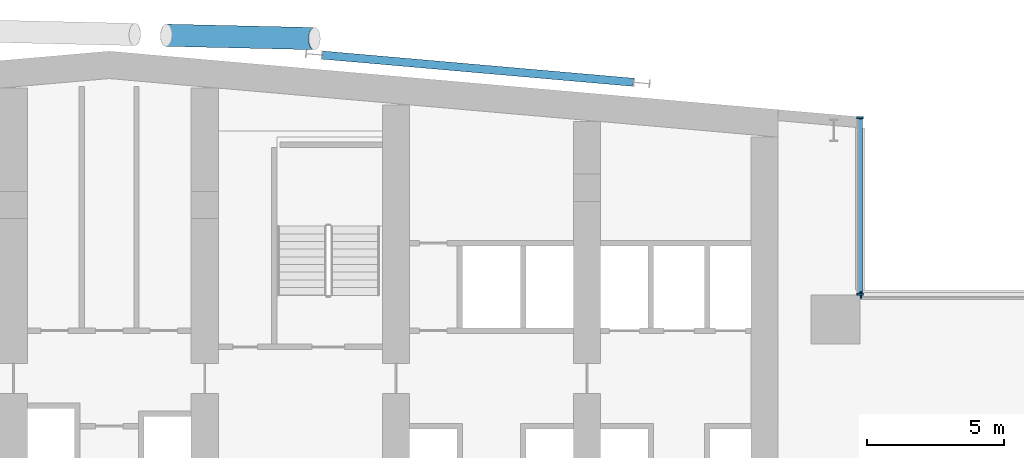
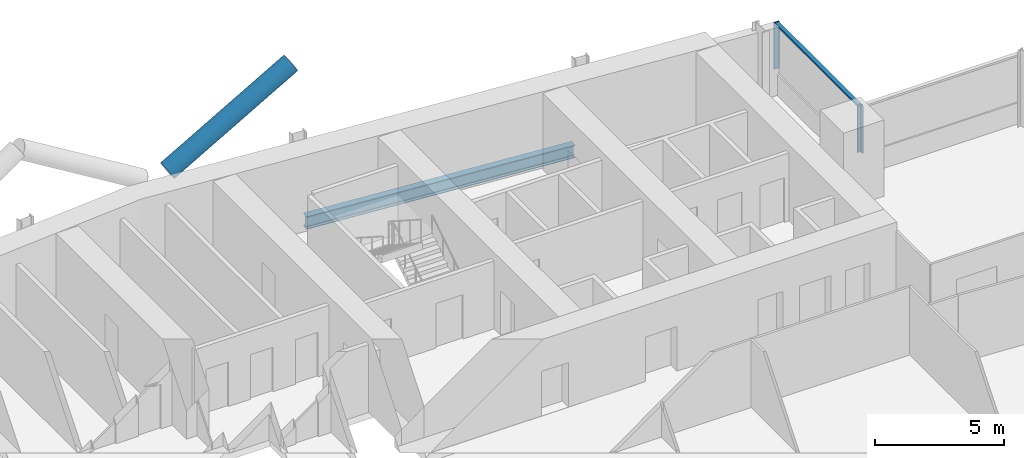
# One storey, part 9 of 27: 5 members, 1 beam, 2 elements without a shape of their own.
"""IFC4 building model written with IfcOpenShell, lengths in metres."""

import ifcopenshell
import ifcopenshell.guid

model = None  # the IFC model being written
_history = None  # IfcOwnerHistory: only IFC2X3 demands one
_inside = {}  # id of a spatial element -> (the spatial element, [elements in it])
_under = {}  # id of a project, library or spatial element -> (it, [spatial elements below it])
_declared = {}  # id of a project -> (the project, [libraries it declares])
_typed = {}  # id of a type object -> (the type object, [elements of that type])
_made_of = {}  # id of a material, layer set ... -> (it, [elements and type objects made of it])


def new_model(schema):
    """Start an empty IFC model of exactly this schema.

    Asked for "IFC4X3", IfcOpenShell would pick the latest addendum, in which some entities
    have other attributes; the version numbers below select the first issue.
    IFC2X3 requires an IfcOwnerHistory on every rooted entity: one is made here for all.
    """
    global model, _history
    if schema == "IFC4X3":
        model = ifcopenshell.file(schema_version=(4, 3, 0, 0))
    else:
        model = ifcopenshell.file(schema=schema)
    _inside.clear()
    _under.clear()
    _declared.clear()
    _typed.clear()
    _made_of.clear()
    _history = None
    if model.schema == "IFC2X3":
        org = make("IfcOrganization", Name="unknown")
        user = make(
            "IfcPersonAndOrganization",
            ThePerson=make("IfcPerson", FamilyName="unknown"),
            TheOrganization=org,
        )
        app = make(
            "IfcApplication",
            ApplicationDeveloper=org,
            Version="unknown",
            ApplicationFullName="unknown",
            ApplicationIdentifier="unknown",
        )
        _history = make(
            "IfcOwnerHistory",
            OwningUser=user,
            OwningApplication=app,
            ChangeAction="ADDED",
            CreationDate=0,
        )
    return model


def make(cls, **values):
    """One entity of the class cls with the attributes given. An attribute that is None is left unset."""
    return model.create_entity(
        cls, **{name: value for name, value in values.items() if value is not None}
    )


def rooted(cls, **values):
    """An entity with a GlobalId (a new one), such as an element, a storey or a relation."""
    return make(cls, GlobalId=ifcopenshell.guid.new(), OwnerHistory=_history, **values)


def si_unit(unit_type, name, prefix=None):
    """IfcSIUnit, for example si_unit("LENGTHUNIT", "METRE", prefix="MILLI")."""
    return make("IfcSIUnit", UnitType=unit_type, Prefix=prefix, Name=name)


def assignment(units):
    """IfcUnitAssignment: the units of a project."""
    return None if units is None else make("IfcUnitAssignment", Units=units)


def point(xyz):
    """IfcCartesianPoint."""
    return None if xyz is None else make("IfcCartesianPoint", Coordinates=xyz)


def direction(xyz):
    """IfcDirection."""
    return None if xyz is None else make("IfcDirection", DirectionRatios=xyz)


def frame(location, z_axis=None, x_axis=None):
    """IfcAxis2Placement3D, a coordinate frame: its origin and axes. An axis left out is left unset."""
    return make(
        "IfcAxis2Placement3D",
        Location=point(location),
        Axis=direction(z_axis),
        RefDirection=direction(x_axis),
    )


def frame_2d(location, x_axis=None):
    """IfcAxis2Placement2D, a coordinate frame in the plane: its origin and x axis."""
    return make(
        "IfcAxis2Placement2D", Location=point(location), RefDirection=direction(x_axis)
    )


def origin():
    """The frame at (0, 0, 0) with its axes left unset."""
    return frame((0.0, 0.0, 0.0))


def origin_2d():
    """The frame at (0, 0) in the plane with its x axis left unset."""
    return frame_2d((0.0, 0.0))


def place(relative_to, where):
    """IfcLocalPlacement: puts the frame where relative to a parent placement (None: the world)."""
    return make(
        "IfcLocalPlacement", PlacementRelTo=relative_to, RelativePlacement=where
    )


def context(
    kind, dimensions, precision=None, world=None, true_north=None, identifier=None
):
    """IfcGeometricRepresentationContext, for example the 3D "Model" context."""
    return make(
        "IfcGeometricRepresentationContext",
        ContextIdentifier=identifier,
        ContextType=kind,
        CoordinateSpaceDimension=dimensions,
        Precision=precision,
        WorldCoordinateSystem=world,
        TrueNorth=true_north,
    )


def subcontext(parent, identifier, kind, view, scale=None):
    """IfcGeometricRepresentationSubContext, for example "Body" below "Model"."""
    return make(
        "IfcGeometricRepresentationSubContext",
        ContextIdentifier=identifier,
        ContextType=kind,
        ParentContext=parent,
        TargetScale=scale,
        TargetView=view,
    )


def project(units=None, contexts=None):
    """IfcProject with its units and contexts."""
    return rooted(
        "IfcProject",
        Name="project",
        RepresentationContexts=contexts,
        UnitsInContext=assignment(units),
    )


def spatial(cls, under=None, at=None, **own):
    """A site, building, storey or space (cls), placed at a placement, below another one or the project."""
    s = rooted(cls, ObjectPlacement=at, **own)
    if under is not None:
        _under.setdefault(under.id(), (under, []))[1].append(s)
    return s


def profile(cls, at=None, kind="AREA", **sizes):
    """A parametric profile (cls). Its sizes go by their IFC names, for example OverallWidth=200.0."""
    return make(cls, ProfileType=kind, Position=at, **sizes)


def rectangle(**sizes):
    """IfcRectangleProfileDef."""
    return profile("IfcRectangleProfileDef", **sizes)


def hollow_circle(**sizes):
    """IfcCircleHollowProfileDef."""
    return profile("IfcCircleHollowProfileDef", **sizes)


def i_section(**sizes):
    """IfcIShapeProfileDef."""
    return profile("IfcIShapeProfileDef", **sizes)


def extrude(swept, where, along, depth):
    """IfcExtrudedAreaSolid: the profile swept, set in the frame where, extruded along a direction by depth."""
    return make(
        "IfcExtrudedAreaSolid",
        SweptArea=swept,
        Position=where,
        ExtrudedDirection=direction(along),
        Depth=depth,
    )


def shape(context_of_items, identifier, shape_type, items):
    """IfcShapeRepresentation: the items that make up one representation, for example the "Body"."""
    return make(
        "IfcShapeRepresentation",
        ContextOfItems=context_of_items,
        RepresentationIdentifier=identifier,
        RepresentationType=shape_type,
        Items=items,
    )


def material(Name=None, Category=None):
    """IfcMaterial."""
    return make("IfcMaterial", Name=Name, Category=Category)


def material_profile(
    of_material, cross_section, Name=None, Category=None, Priority=None
):
    """IfcMaterialProfile: a cross section and its material."""
    return make(
        "IfcMaterialProfile",
        Name=Name,
        Material=of_material,
        Profile=cross_section,
        Priority=Priority,
        Category=Category,
    )


def profile_set(profiles, Name=None, composite=None):
    """IfcMaterialProfileSet."""
    return make(
        "IfcMaterialProfileSet",
        Name=Name,
        MaterialProfiles=profiles,
        CompositeProfile=composite,
    )


def made_of(thing, what):
    """Note that an element or type object is made of a material, layer set ...; save() writes the relation."""
    if what is not None:
        _made_of.setdefault(what.id(), (what, []))[1].append(thing)
    return thing


def type_object(cls, material=None, **own):
    """A type object (cls), such as IfcWallType, which elements share."""
    return made_of(rooted(cls, **own), material)


def element(
    cls,
    number,
    at=None,
    inside=None,
    cuts=None,
    type_object=None,
    material=None,
    context=None,
    identifier="Body",
    shape_type=None,
    held_by="IfcProductDefinitionShape",
    body=None,
    shapes=None,
    **own,
):
    """One element of the class cls, such as IfcWall. Its Tag is "e" and its number.

    at: its placement. inside: the storey or other place that contains it. cuts: it is an
    opening in that element (IfcRelVoidsElement). A single representation is given by context,
    identifier, shape_type and body (its items); several are given by shapes. held_by: the class
    of the entity that holds the representations. save() writes the other relations.
    """
    e = rooted(cls, Tag="e%d" % number, ObjectPlacement=at, **own)
    if body is not None:
        shapes = [shape(context, identifier, shape_type, body)]
    if shapes is not None:
        e.Representation = make(held_by, Representations=shapes)
    if inside is not None:
        _inside.setdefault(inside.id(), (inside, []))[1].append(e)
    if cuts is not None:
        rooted(
            "IfcRelVoidsElement", RelatingBuildingElement=cuts, RelatedOpeningElement=e
        )
    if type_object is not None:
        _typed.setdefault(type_object.id(), (type_object, []))[1].append(e)
    return made_of(e, material)


def aggregate(whole, parts):
    """IfcRelAggregates: a whole, such as a stair, and the parts it consists of."""
    return rooted("IfcRelAggregates", RelatingObject=whole, RelatedObjects=parts)


def save(model, path):
    """Write the relations noted so far, then the file.

    IfcRelAggregates (storeys below a building ...), IfcRelContainedInSpatialStructure (elements
    in a storey), IfcRelDefinesByType, IfcRelAssociatesMaterial and IfcRelDeclares: one each for
    every whole, place, type object, material and project.
    """
    for whole, parts in _under.values():
        aggregate(whole, parts)
    for where, things in _inside.values():
        rooted(
            "IfcRelContainedInSpatialStructure",
            RelatedElements=things,
            RelatingStructure=where,
        )
    for kind, things in _typed.values():
        rooted("IfcRelDefinesByType", RelatedObjects=things, RelatingType=kind)
    for what, things in _made_of.values():
        rooted("IfcRelAssociatesMaterial", RelatedObjects=things, RelatingMaterial=what)
    for by, libraries in _declared.values():
        rooted("IfcRelDeclares", RelatingContext=by, RelatedDefinitions=libraries)
    model.write(path)


model = new_model("IFC4")

# Units and contexts
model_context = context("Model", 3, precision=1e-05, world=origin(), true_north=direction((0.0, 1.0)))
body_context = subcontext(model_context, "Body", "Model", "MODEL_VIEW")
ifc_project = project(units=[si_unit("LENGTHUNIT", "METRE"), si_unit("AREAUNIT", "SQUARE_METRE"), si_unit("VOLUMEUNIT", "CUBIC_METRE"), si_unit("PLANEANGLEUNIT", "RADIAN"), si_unit("MASSUNIT", "GRAM", prefix="KILO")], contexts=[model_context])

# Site, building, storey
site_placement = place(None, origin())
site = spatial("IfcSite", under=ifc_project, at=site_placement, CompositionType="ELEMENT")
building_placement = place(site_placement, origin())
building = spatial("IfcBuilding", under=site, at=building_placement, Name="Wharfspan Tower", CompositionType="ELEMENT")
storey_placement = place(building_placement, frame((0.0, 0.0, 139.899902)))
storey = spatial("IfcBuildingStorey", under=building, at=storey_placement, Name="L33", CompositionType="ELEMENT", Elevation=139.899902)

# Beam
ifc_material_1 = material(Name="Steel S355J2", Category="steel")
ifc_material_profile_1 = material_profile(ifc_material_1, i_section(OverallWidth=0.300049, OverallDepth=0.600098, WebThickness=0.015381, FlangeThickness=0.030029, FilletRadius=0.0271, at=origin_2d()))
ifc_profile_set_1 = profile_set([ifc_material_profile_1], Name="Steel S355J2")
beam_type = type_object("IfcBeamType", Name="Edge beam HEB 600", PredefinedType="SPANDREL", material=ifc_profile_set_1)
beam_placement = place(storey_placement, frame((59.695068, 49.791504, -0.699951), z_axis=(-0.996194, 0.087162, 0.0), x_axis=(-0.087162, -0.996194, 0.0)))
element("IfcBeam", 1, at=beam_placement, inside=storey, type_object=beam_type, Name="Edge beam N2 L33 R.4 to R.3", PredefinedType="SPANDREL", context=body_context, shape_type="SweptSolid", body=[
    extrude(i_section(OverallWidth=0.300049, OverallDepth=0.600098, WebThickness=0.015381, FlangeThickness=0.030029, FilletRadius=0.0271, at=origin_2d()), origin(), (0.0, 0.0, 1.0), 11.433594),
])

# Curtain wall, member
ifc_material_2 = material(Name="Aluminium 6063-T6", Category="aluminium")
curtain_wall_type = type_object("IfcCurtainWallType", Name="CURTAIN WALL PROW AND END", PredefinedType="NOTDEFINED", material=ifc_material_2)
curtain_wall_1_placement = place(storey_placement, origin())
curtain_wall_1 = element("IfcCurtainWall", 2, at=curtain_wall_1_placement, inside=storey, type_object=curtain_wall_type, Name="Curtain wall NRE-H", PredefinedType="NOTDEFINED")
ifc_material_profile_2 = material_profile(ifc_material_2, rectangle(XDim=0.23999, YDim=0.060059, at=origin_2d()))
ifc_profile_set_2 = profile_set([ifc_material_profile_2], Name="Aluminium 6063-T6")
member_type_1 = type_object("IfcMemberType", Name="MULLION PROW AND END 60x240", PredefinedType="MULLION", material=ifc_profile_set_2)
member_1_placement = place(storey_placement, frame((68.030029, 42.0, 1.0), z_axis=(0.0, 0.0, 1.0), x_axis=(0.0, -1.0, 0.0)))
member_1 = element("IfcMember", 3, at=member_1_placement, type_object=member_type_1, Name="Curtain wall NRE-H mullion 2", PredefinedType="MULLION", context=body_context, shape_type="SweptSolid", body=[
    extrude(rectangle(XDim=0.23999, YDim=0.060059, at=origin_2d()), origin(), (0.0, 0.0, 1.0), 2.200195),
])
aggregate(curtain_wall_1, [member_1])

# Curtain wall, members
curtain_wall_2_placement = place(storey_placement, origin())
curtain_wall_2 = element("IfcCurtainWall", 4, at=curtain_wall_2_placement, inside=storey, type_object=curtain_wall_type, Name="Curtain wall NRE-V", PredefinedType="NOTDEFINED")
member_2_placement = place(storey_placement, frame((68.0, 42.030029, 1.0), z_axis=(0.0, 0.0, 1.0), x_axis=(-1.0, 0.0, 0.0)))
member_2 = element("IfcMember", 5, at=member_2_placement, type_object=member_type_1, Name="Curtain wall NRE-V mullion 1", PredefinedType="MULLION", context=body_context, shape_type="SweptSolid", body=[
    extrude(rectangle(XDim=0.23999, YDim=0.060059, at=origin_2d()), origin(), (0.0, 0.0, 1.0), 2.200195),
])
member_3_placement = place(storey_placement, frame((68.0, 48.494873, 1.0), z_axis=(0.0, 0.0, 1.0), x_axis=(-1.0, 0.0, 0.0)))
member_3 = element("IfcMember", 6, at=member_3_placement, type_object=member_type_1, Name="Curtain wall NRE-V mullion 2", PredefinedType="MULLION", context=body_context, shape_type="SweptSolid", body=[
    extrude(rectangle(XDim=0.23999, YDim=0.060059, at=origin_2d()), origin(), (0.0, 0.0, 1.0), 2.200195),
])

# Member
ifc_material_3 = material(Name="Steel S460NH", Category="steel")
ifc_material_profile_3 = material_profile(ifc_material_3, hollow_circle(Radius=0.406494, WallThickness=0.040039, at=origin_2d()))
ifc_profile_set_3 = profile_set([ifc_material_profile_3], Name="Steel S460NH")
member_type_2 = type_object("IfcMemberType", Name="Mega brace CHS 813x40", PredefinedType="BRACE", material=ifc_profile_set_3)
member_4_placement = place(storey_placement, frame((42.590332, 51.514893, 3.246582), z_axis=(0.857327, -0.019686, 0.514396), x_axis=(0.022956, 0.999736, 0.0)))
element("IfcMember", 7, at=member_4_placement, inside=storey, type_object=member_type_2, Name="Mega brace N7 L33 part 2", PredefinedType="BRACE", context=body_context, shape_type="SweptSolid", body=[
    extrude(hollow_circle(Radius=0.406494, WallThickness=0.040039, at=origin_2d()), origin(), (0.0, 0.0, 1.0), 6.324707),
])

ifc_material_profile_4 = material_profile(ifc_material_2, rectangle(XDim=0.179932, YDim=0.080078, at=origin_2d()))
ifc_profile_set_4 = profile_set([ifc_material_profile_4], Name="Aluminium 6063-T6")
member_type_3 = type_object("IfcMemberType", Name="TRANSOM PROW AND END 80x180", PredefinedType="USERDEFINED", material=ifc_profile_set_4)
member_5_placement = place(storey_placement, frame((68.0, 42.060059, 3.160156), z_axis=(0.0, 1.0, 0.0), x_axis=(-1.0, 0.0, 0.0)))
member_5 = element("IfcMember", 8, at=member_5_placement, type_object=member_type_3, Name="Curtain wall NRE-V transom 1", ObjectType="TRANSOM", PredefinedType="USERDEFINED", context=body_context, shape_type="SweptSolid", body=[
    extrude(rectangle(XDim=0.179932, YDim=0.080078, at=origin_2d()), origin(), (0.0, 0.0, 1.0), 6.404785),
])

aggregate(curtain_wall_2, [member_2, member_3, member_5])

save(model, "model.ifc")
